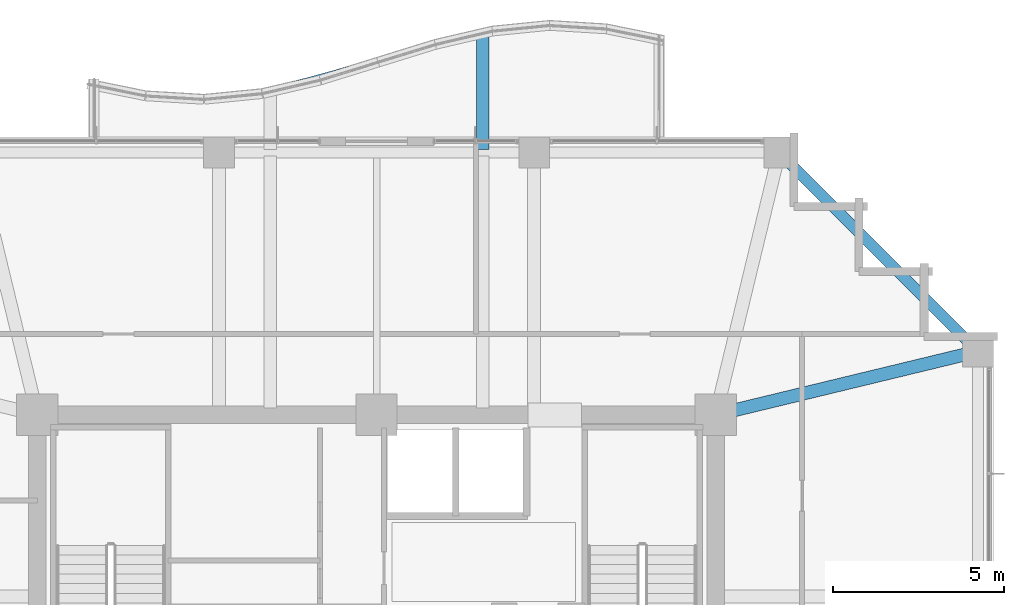
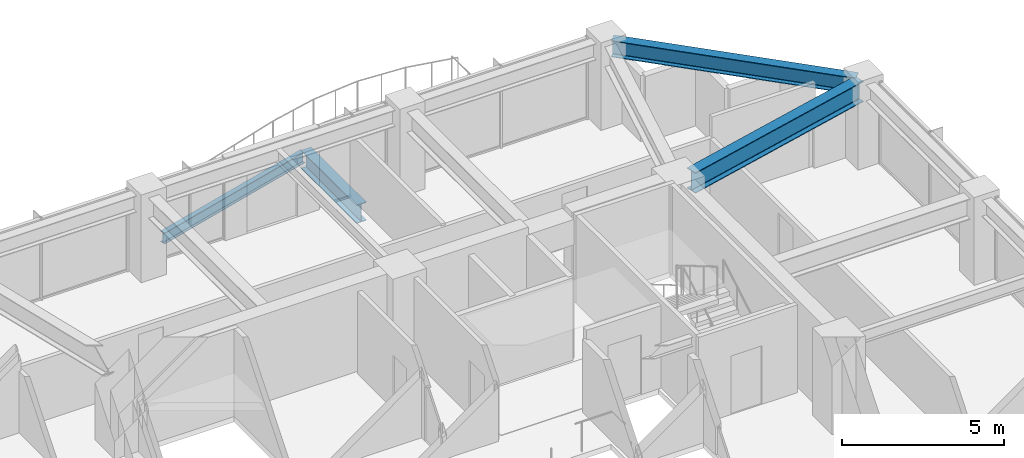
# One storey, part 20 of 31: 4 beams.
"""IFC4 building model written with IfcOpenShell, lengths in metres."""

from ifc_helpers import new_model, si_unit, direction, frame, origin, origin_2d, place, context, subcontext, project, spatial, i_section, extrude, material, material_profile, profile_set, type_object, element, save


model = new_model("IFC4")

# Units and contexts
model_context = context("Model", 3, precision=1e-05, world=origin(), true_north=direction((0.0, 1.0)))
body_context = subcontext(model_context, "Body", "Model", "MODEL_VIEW")
ifc_project = project(units=[si_unit("LENGTHUNIT", "METRE"), si_unit("AREAUNIT", "SQUARE_METRE"), si_unit("VOLUMEUNIT", "CUBIC_METRE"), si_unit("PLANEANGLEUNIT", "RADIAN"), si_unit("MASSUNIT", "GRAM", prefix="KILO")], contexts=[model_context])

# Site, building, storey
site_placement = place(None, origin())
site = spatial("IfcSite", under=ifc_project, at=site_placement, CompositionType="ELEMENT")
building_placement = place(site_placement, origin())
building = spatial("IfcBuilding", under=site, at=building_placement, Name="Kolvaren Belvedere", CompositionType="ELEMENT")
storey_placement = place(building_placement, frame((0.0, 0.0, 131.60009765625)))
storey = spatial("IfcBuildingStorey", under=building, at=storey_placement, Name="L38", CompositionType="ELEMENT", Elevation=131.60009765625)

# Beams
ifc_material_1 = material(Name="Structural steel ASTM A992 Grade 50", Category="steel")
ifc_material_profile_1 = material_profile(ifc_material_1, i_section(OverallWidth=0.35498046875, OverallDepth=0.696044921875, WebThickness=0.015380859375, FlangeThickness=0.02490234375, FilletRadius=0.02197265625, at=origin_2d()), Name="W27X146")
ifc_profile_set_1 = profile_set([ifc_material_profile_1], Name="Structural steel ASTM A992 Grade 50")
beam_type_1 = type_object("IfcBeamType", Name="BM-CANT-BAL", PredefinedType="BEAM", material=ifc_profile_set_1)
beam_1_placement = place(storey_placement, frame((3.10009765625, 17.64501953125, -0.548095703125), z_axis=(0.0, 1.0, 0.0), x_axis=(-1.0, 0.0, 0.0)))
element("IfcBeam", 1, at=beam_1_placement, inside=storey, type_object=beam_type_1, Name="L38 Planted Balcony Cantilever BAL-N-2", PredefinedType="BEAM", context=body_context, shape_type="SweptSolid", body=[
    extrude(i_section(OverallWidth=0.35498046875, OverallDepth=0.696044921875, WebThickness=0.015380859375, FlangeThickness=0.02490234375, FilletRadius=0.02197265625, at=origin_2d()), origin(), (0.0, 0.0, 1.0), 3.40625),
])
ifc_material_2 = material(Name="Structural steel ASTM A992 Grade 50", Category="steel")
ifc_material_profile_2 = material_profile(ifc_material_2, i_section(OverallWidth=0.180908203125, OverallDepth=0.4169921875, WebThickness=0.010986328125, FlangeThickness=0.018310546875, FilletRadius=0.013916015625, at=origin_2d()), Name="W16X57")
ifc_profile_set_2 = profile_set([ifc_material_profile_2], Name="Structural steel ASTM A992 Grade 50")
beam_type_2 = type_object("IfcBeamType", Name="BM-EDGE-W16X57", PredefinedType="BEAM", material=ifc_profile_set_2)
beam_2_placement = place(storey_placement, frame((-2.965087890625, 19.3857421875, -0.40869140625), z_axis=(0.964304286407, 0.26479660726, 0.0), x_axis=(-0.26479660726, 0.964304286407, 0.0)))
element("IfcBeam", 2, at=beam_2_placement, inside=storey, type_object=beam_type_2, Name="L38 Balcony Tip Header Beam BAL-N", PredefinedType="BEAM", context=body_context, shape_type="SweptSolid", body=[
    extrude(i_section(OverallWidth=0.180908203125, OverallDepth=0.4169921875, WebThickness=0.010986328125, FlangeThickness=0.018310546875, FilletRadius=0.013916015625, at=origin_2d()), origin(), (0.0, 0.0, 1.0), 6.149658203125),
])
ifc_material_3 = material(Name="Structural steel ASTM A992 Grade 50", Category="steel")
ifc_material_profile_3 = material_profile(ifc_material_3, i_section(OverallWidth=0.381103515625, OverallDepth=0.77294921875, WebThickness=0.0166015625, FlangeThickness=0.027099609375, FilletRadius=0.02392578125, at=origin_2d()), Name="W30X173")
ifc_profile_set_3 = profile_set([ifc_material_profile_3], Name="Structural steel ASTM A992 Grade 50")
beam_type_3 = type_object("IfcBeamType", Name="BM-GIRD-W30X173", PredefinedType="BEAM", material=ifc_profile_set_3)
beam_3_placement = place(storey_placement, frame((10.4345703125, 10.029296875, 2.71337890625), z_axis=(0.971980197119, 0.235062749937, 0.0), x_axis=(-0.235062749937, 0.971980197119, 0.0)))
element("IfcBeam", 3, at=beam_3_placement, inside=storey, type_object=beam_type_3, Name="L38 Corner Core-to-Perimeter Girder CC3-E4", PredefinedType="BEAM", context=body_context, shape_type="SweptSolid", body=[
    extrude(i_section(OverallWidth=0.381103515625, OverallDepth=0.77294921875, WebThickness=0.0166015625, FlangeThickness=0.027099609375, FilletRadius=0.02392578125, at=origin_2d()), origin(), (0.0, 0.0, 1.0), 7.140625),
])
ifc_material_4 = material(Name="Structural steel ASTM A992 Grade 50", Category="steel")
ifc_material_profile_4 = material_profile(ifc_material_4, i_section(OverallWidth=0.324951171875, OverallDepth=0.615966796875, WebThickness=0.013916015625, FlangeThickness=0.021484375, FilletRadius=0.02001953125, at=origin_2d()), Name="W24X117")
ifc_profile_set_4 = profile_set([ifc_material_profile_4], Name="Structural steel ASTM A992 Grade 50")
beam_type_4 = type_object("IfcBeamType", Name="BM-SPAN-W24X117", PredefinedType="SPANDREL", material=ifc_profile_set_4)
beam_4_placement = place(storey_placement, frame((17.40673828125, 11.893310546875, 2.7919921875), z_axis=(-0.707106781187, 0.707106781187, 0.0), x_axis=(-0.707106781187, -0.707106781187, 0.0)))
element("IfcBeam", 4, at=beam_4_placement, inside=storey, type_object=beam_type_4, Name="L38 Perimeter Spandrel E4-N4", PredefinedType="SPANDREL", context=body_context, shape_type="SweptSolid", body=[
    extrude(i_section(OverallWidth=0.324951171875, OverallDepth=0.615966796875, WebThickness=0.013916015625, FlangeThickness=0.021484375, FilletRadius=0.02001953125, at=origin_2d()), origin(), (0.0, 0.0, 1.0), 7.797119140625),
])

save(model, "model.ifc")
